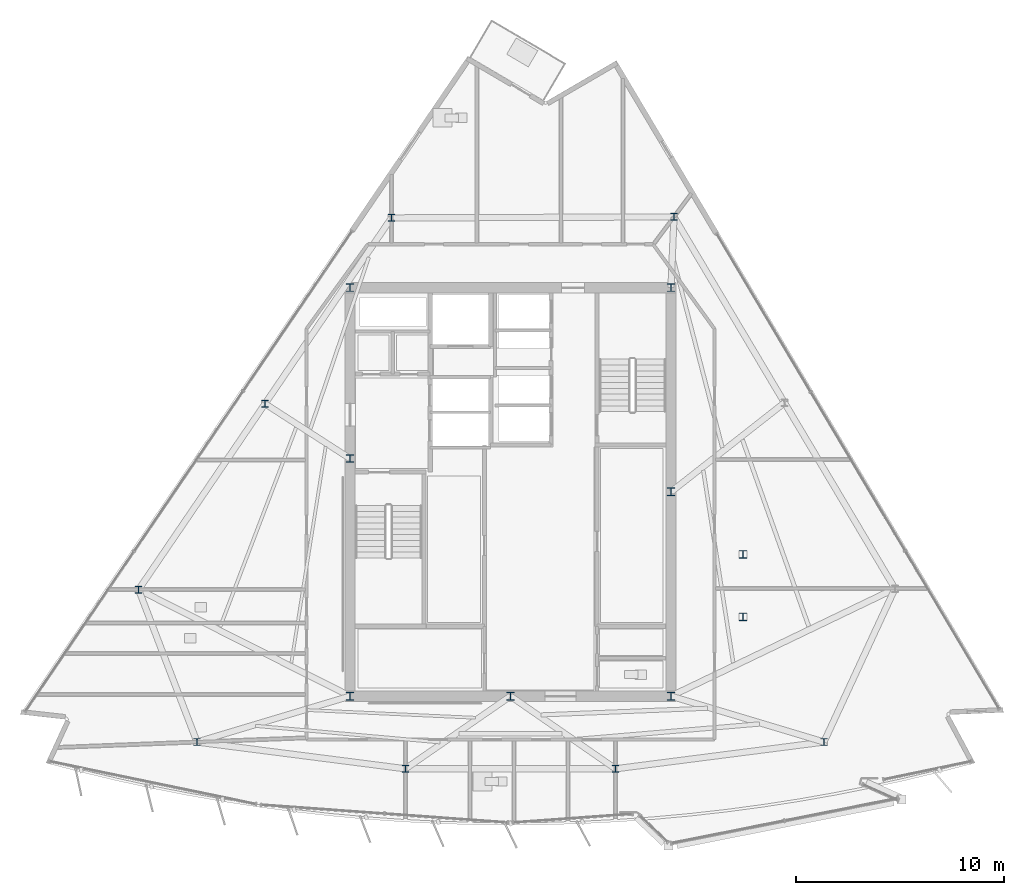
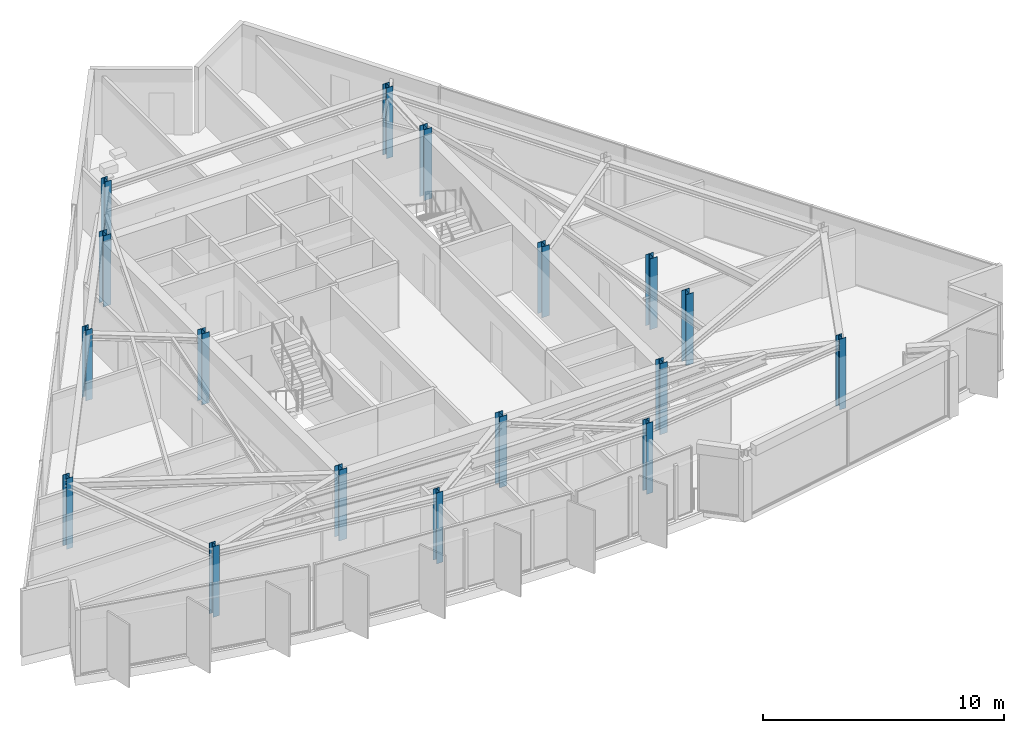
# One storey, part 1 of 14: 17 columns.
"""IFC4 building model written with IfcOpenShell, lengths in metres."""

from ifc_helpers import new_model, si_unit, direction, frame, origin, origin_2d, place, context, subcontext, project, spatial, i_section, extrude, material, material_profile, profile_set, type_object, element, save


model = new_model("IFC4")

# Units and contexts
model_context = context("Model", 3, precision=1e-05, world=origin(), true_north=direction((0.0, 1.0)))
body_context = subcontext(model_context, "Body", "Model", "MODEL_VIEW")
ifc_project = project(units=[si_unit("LENGTHUNIT", "METRE"), si_unit("AREAUNIT", "SQUARE_METRE"), si_unit("VOLUMEUNIT", "CUBIC_METRE"), si_unit("PLANEANGLEUNIT", "RADIAN"), si_unit("MASSUNIT", "GRAM", prefix="KILO")], contexts=[model_context])

# Site, building, storey
site_placement = place(None, origin())
site = spatial("IfcSite", under=ifc_project, at=site_placement, CompositionType="ELEMENT")
building_placement = place(site_placement, origin())
building = spatial("IfcBuilding", under=site, at=building_placement, Name="Savorim Split Tower", CompositionType="ELEMENT")
storey_placement = place(building_placement, frame((0.0, 0.0, 294.0)))
storey = spatial("IfcBuildingStorey", under=building, at=storey_placement, Name="L78", CompositionType="ELEMENT", Elevation=294.0)

# Columns
ifc_material = material(Name="Steel S355", Category="steel")
ifc_material_profile_1 = material_profile(ifc_material, i_section(OverallWidth=0.30908203125, OverallDepth=0.330078125, WebThickness=0.011474609375, FlangeThickness=0.01904296875, FilletRadius=0.027099609375, at=origin_2d()), Name="HD 320x158")
ifc_profile_set_1 = profile_set([ifc_material_profile_1], Name="Steel S355")
column_type_1 = type_object("IfcColumnType", Name="COL-HD-158", PredefinedType="COLUMN", material=ifc_profile_set_1)
for number, where, z_axis, x_axis, name in (
    (1, (-15.037109375, -11.6015625, 0.005615234375), (0.0, 0.0, 1.0), (1.0, 0.0, 0.0), "L78 Tapered Perimeter Column PC-S1"),
    (2, (-5.039794921875, -12.885009765625, 0.005615234375), (0.0, 0.0, 1.0), (1.0, 0.0, 0.0), "L78 Tapered Perimeter Column PC-S2"),
    (3, (5.039794921875, -12.885009765625, 0.005615234375), (0.0, 0.0, 1.0), (1.0, 0.0, 0.0), "L78 Tapered Perimeter Column PC-S3"),
    (4, (15.037109375, -11.6015625, 0.005615234375), (0.0, 0.0, 1.0), (1.0, 0.0, 0.0), "L78 Tapered Perimeter Column PC-S4"),
    (5, (7.843017578125, 13.591064453125, 0.005615234375), (0.0, 0.0, 1.0), (1.0, 0.0, 0.0), "L78 Tapered Perimeter Column PC-E3"),
    (6, (-5.710205078125, 13.542236328125, 0.005615234375), (0.0, 0.0, 1.0), (1.0, 0.0, 0.0), "L78 Tapered Perimeter Column PC-W1"),
    (7, (-11.775390625, 4.626708984375, 0.005615234375), (0.0, 0.0, 1.0), (1.0, 0.0, 0.0), "L78 Tapered Perimeter Column PC-W2"),
    (8, (-17.84033203125, -4.288818359375, 0.005615234375), (0.0, 0.0, 1.0), (1.0, 0.0, 0.0), "L78 Tapered Perimeter Column PC-W3"),
):
    element("IfcColumn", number, at=place(storey_placement, frame(where, z_axis=z_axis, x_axis=x_axis)), inside=storey, type_object=column_type_1, Name=name, PredefinedType="COLUMN", context=body_context, shape_type="SweptSolid", body=[
        extrude(i_section(OverallWidth=0.30908203125, OverallDepth=0.330078125, WebThickness=0.011474609375, FlangeThickness=0.01904296875, FilletRadius=0.027099609375, at=origin_2d()), origin(), (0.0, 0.0, 1.0), 3.594482421875),
    ])
ifc_material_profile_2 = material_profile(ifc_material, i_section(OverallWidth=0.3740234375, OverallDepth=0.3720703125, WebThickness=0.01220703125, FlangeThickness=0.02001953125, FilletRadius=0.014892578125, at=origin_2d()), Name="HD 360x196")
ifc_profile_set_2 = profile_set([ifc_material_profile_2], Name="Steel S355")
column_type_2 = type_object("IfcColumnType", Name="COL-HD-196", PredefinedType="COLUMN", material=ifc_profile_set_2)
for number, where, z_axis, x_axis, name in (
    (9, (-7.699951171875, -9.39990234375, 0.0), (0.0, 0.0, 1.0), (1.0, 0.0, 0.0), "L78 Core Structural Column TC-C1"),
    (10, (7.699951171875, -9.39990234375, 0.0), (0.0, 0.0, 1.0), (1.0, 0.0, 0.0), "L78 Core Structural Column TC-C2"),
    (11, (7.699951171875, 10.199951171875, 0.0), (0.0, 0.0, 1.0), (1.0, 0.0, 0.0), "L78 Core Structural Column TC-C3"),
    (12, (-7.699951171875, 10.199951171875, 0.0), (0.0, 0.0, 1.0), (1.0, 0.0, 0.0), "L78 Core Structural Column TC-C4"),
    (13, (0.0, -9.39990234375, 0.0), (0.0, 0.0, 1.0), (1.0, 0.0, 0.0), "L78 Core Structural Column TC-C5"),
    (14, (7.699951171875, 0.39990234375, 0.0), (0.0, 0.0, 1.0), (1.0, 0.0, 0.0), "L78 Core Structural Column TC-C6"),
    (15, (-7.699951171875, 2.0, 0.0), (0.0, 0.0, 1.0), (1.0, 0.0, 0.0), "L78 Core Structural Column TC-C7"),
    (16, (11.14990234375, -5.60009765625, 0.0), (0.0, 0.0, 1.0), (1.0, 0.0, 0.0), "L78 East Crown Slot Transfer Column ECS-1"),
    (17, (11.14990234375, -2.60009765625, 0.0), (0.0, 0.0, 1.0), (1.0, 0.0, 0.0), "L78 East Crown Slot Transfer Column ECS-2"),
):
    element("IfcColumn", number, at=place(storey_placement, frame(where, z_axis=z_axis, x_axis=x_axis)), inside=storey, type_object=column_type_2, Name=name, PredefinedType="COLUMN", context=body_context, shape_type="SweptSolid", body=[
        extrude(i_section(OverallWidth=0.3740234375, OverallDepth=0.3720703125, WebThickness=0.01220703125, FlangeThickness=0.02001953125, FilletRadius=0.014892578125, at=origin_2d()), origin(), (0.0, 0.0, 1.0), 3.60009765625),
    ])

save(model, "model.ifc")
